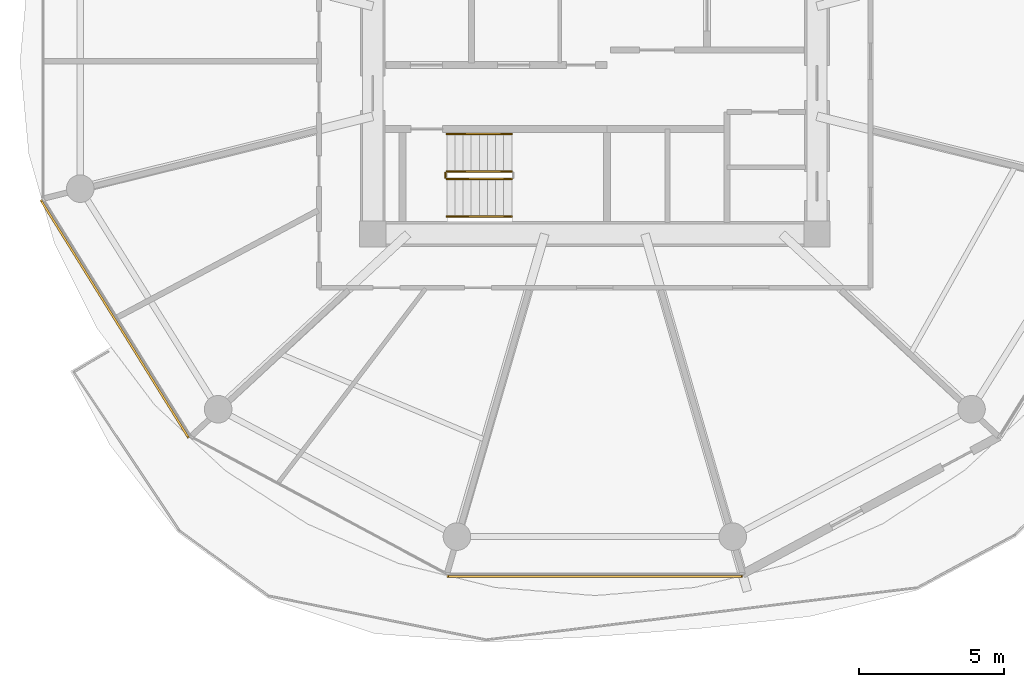
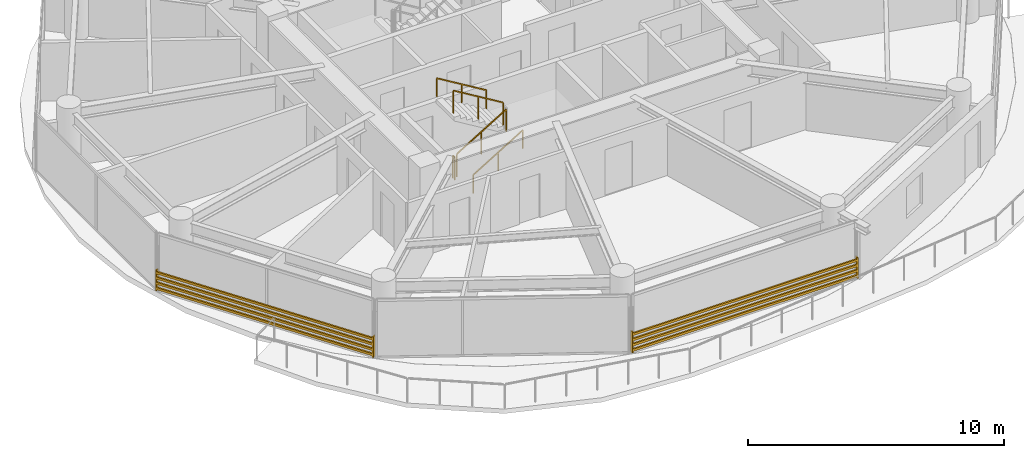
# One storey, part 21 of 26: 5 railings, 2 shading devices.
"""IFC4 building model written with IfcOpenShell, lengths in metres."""

from ifc_helpers import new_model, si_unit, direction, frame, origin, origin_2d, place, context, subcontext, project, spatial, rectangle, extrude, source, transform, mapped, material, type_object, type_shapes, element, save


model = new_model("IFC4")

# Units and contexts
model_context = context("Model", 3, precision=1e-05, world=origin(), true_north=direction((0.0, 1.0)))
body_context = subcontext(model_context, "Body", "Model", "MODEL_VIEW")
ifc_project = project(units=[si_unit("LENGTHUNIT", "METRE"), si_unit("AREAUNIT", "SQUARE_METRE"), si_unit("VOLUMEUNIT", "CUBIC_METRE"), si_unit("PLANEANGLEUNIT", "RADIAN"), si_unit("MASSUNIT", "GRAM", prefix="KILO")], contexts=[model_context])

# Site, building, storey
site_placement = place(None, origin())
site = spatial("IfcSite", under=ifc_project, at=site_placement, CompositionType="ELEMENT")
building_placement = place(site_placement, origin())
building = spatial("IfcBuilding", under=site, at=building_placement, Name="Norrkilde Senior Care Towers", CompositionType="ELEMENT")
storey_placement = place(building_placement, frame((0.0, 0.0, 55.14990234375)))
storey = spatial("IfcBuildingStorey", under=building, at=storey_placement, Name="L16", CompositionType="ELEMENT", Elevation=55.14990234375)

# Railings
ifc_material_1 = material(Name="Stainless Steel", Category="steel")
railing_type_1 = type_object("IfcRailingType", Name="Stair and Terrace Guardrail 1100", PredefinedType="GUARDRAIL", material=ifc_material_1)
railing_1_placement = place(storey_placement, frame((-33.10009765625, -4.050048828125, 0.16943359375)))
element("IfcRailing", 1, at=railing_1_placement, inside=storey, type_object=railing_type_1, Name="L16 ST-W2 stair guard 1", PredefinedType="GUARDRAIL", context=body_context, shape_type="SweptSolid", body=[
    extrude(rectangle(XDim=0.048095703125, YDim=0.048095703125, at=origin_2d()), frame((0.0, 0.0, 1.076171875), z_axis=(0.855512035549, 0.0, 0.517782924622), x_axis=(0.0, 1.0, 0.0)), (0.0, 0.0, 1.0), 2.618408203125),
    extrude(rectangle(XDim=0.0419921875, YDim=0.0419921875, at=origin_2d()), origin(), (0.0, 0.0, 1.0), 1.050048828125),
    extrude(rectangle(XDim=0.0419921875, YDim=0.0419921875, at=origin_2d()), frame((1.1201171875, 0.0, 0.677734375)), (0.0, 0.0, 1.0), 1.050048828125),
    extrude(rectangle(XDim=0.0419921875, YDim=0.0419921875, at=origin_2d()), frame((2.239990234375, 0.0, 1.355712890625)), (0.0, 0.0, 1.0), 1.050048828125),
])
railing_2_placement = place(storey_placement, frame((-30.860107421875, -3.800048828125, 1.694580078125)))
element("IfcRailing", 2, at=railing_2_placement, inside=storey, type_object=railing_type_1, Name="L16 ST-W2 stair guard 3", PredefinedType="GUARDRAIL", context=body_context, shape_type="SweptSolid", body=[
    extrude(rectangle(XDim=0.048095703125, YDim=0.048095703125, at=origin_2d()), frame((0.0, 0.0, 1.076171875), z_axis=(-0.855553338991, 0.0, 0.51771467445), x_axis=(0.0, -1.0, 0.0)), (0.0, 0.0, 1.0), 2.6181640625),
    extrude(rectangle(XDim=0.0419921875, YDim=0.0419921875, at=origin_2d()), origin(), (0.0, 0.0, 1.0), 1.050048828125),
    extrude(rectangle(XDim=0.0419921875, YDim=0.0419921875, at=origin_2d()), frame((-1.1201171875, 0.0, 0.677734375)), (0.0, 0.0, 1.0), 1.050048828125),
    extrude(rectangle(XDim=0.0419921875, YDim=0.0419921875, at=origin_2d()), frame((-2.239990234375, 0.0, 1.35546875)), (0.0, 0.0, 1.0), 1.050048828125),
])
railing_3_placement = place(storey_placement, frame((-33.14990234375, -4.0, 0.0)))
element("IfcRailing", 3, at=railing_3_placement, inside=storey, type_object=railing_type_1, Name="L16 ST-W2 stair guard 4", PredefinedType="GUARDRAIL", context=body_context, shape_type="SweptSolid", body=[
    extrude(rectangle(XDim=0.048095703125, YDim=0.048095703125, at=origin_2d()), frame((0.0, 0.0, 1.076171875), z_axis=(0.0, 1.0, 0.0), x_axis=(-1.0, 0.0, 0.0)), (0.0, 0.0, 1.0), 0.14990234375),
    extrude(rectangle(XDim=0.0419921875, YDim=0.0419921875, at=origin_2d()), origin(), (0.0, 0.0, 1.0), 1.050048828125),
    extrude(rectangle(XDim=0.0419921875, YDim=0.0419921875, at=origin_2d()), frame((0.0, 0.14990234375, 0.0)), (0.0, 0.0, 1.0), 1.050048828125),
])
ifc_material_2 = material(Name="Nordic Ash Timber", Category="wood")
railing_type_2 = type_object("IfcRailingType", Name="Wall and Stair Handrail 900", PredefinedType="HANDRAIL", material=ifc_material_2)
railing_4_placement = place(storey_placement, frame((-33.10009765625, -5.35009765625, 0.16943359375)))
element("IfcRailing", 4, at=railing_4_placement, inside=storey, type_object=railing_type_2, Name="L16 ST-W2 stair handrail 1", PredefinedType="HANDRAIL", context=body_context, shape_type="SweptSolid", body=[
    extrude(rectangle(XDim=0.048095703125, YDim=0.048095703125, at=origin_2d()), frame((0.0, 0.0, 0.8759765625), z_axis=(0.855512035549, 0.0, 0.517782924622), x_axis=(0.0, 1.0, 0.0)), (0.0, 0.0, 1.0), 2.618408203125),
    extrude(rectangle(XDim=0.0419921875, YDim=0.0419921875, at=origin_2d()), origin(), (0.0, 0.0, 1.0), 0.849853515625),
    extrude(rectangle(XDim=0.0419921875, YDim=0.0419921875, at=origin_2d()), frame((1.1201171875, 0.0, 0.677734375)), (0.0, 0.0, 1.0), 0.849853515625),
    extrude(rectangle(XDim=0.0419921875, YDim=0.0419921875, at=origin_2d()), frame((2.239990234375, 0.0, 1.355712890625)), (0.0, 0.0, 1.0), 0.849853515625),
])
railing_5_placement = place(storey_placement, frame((-30.860107421875, -2.5, 1.694580078125)))
element("IfcRailing", 5, at=railing_5_placement, inside=storey, type_object=railing_type_2, Name="L16 ST-W2 stair handrail 2", PredefinedType="HANDRAIL", context=body_context, shape_type="SweptSolid", body=[
    extrude(rectangle(XDim=0.048095703125, YDim=0.048095703125, at=origin_2d()), frame((0.0, 0.0, 0.8759765625), z_axis=(-0.855553338991, 0.0, 0.51771467445), x_axis=(0.0, -1.0, 0.0)), (0.0, 0.0, 1.0), 2.6181640625),
    extrude(rectangle(XDim=0.0419921875, YDim=0.0419921875, at=origin_2d()), origin(), (0.0, 0.0, 1.0), 0.849853515625),
    extrude(rectangle(XDim=0.0419921875, YDim=0.0419921875, at=origin_2d()), frame((-1.1201171875, 0.0, 0.677734375)), (0.0, 0.0, 1.0), 0.849853515625),
    extrude(rectangle(XDim=0.0419921875, YDim=0.0419921875, at=origin_2d()), frame((-2.239990234375, 0.0, 1.35546875)), (0.0, 0.0, 1.0), 0.849853515625),
])

# Shading devices
ifc_material_3 = material(Name="Architectural Terracotta", Category="masonry")
shading_device_type = type_object("IfcShadingDeviceType", Name="Horizontal Terracotta Baguette Rack", PredefinedType="USERDEFINED", material=ifc_material_3)
shared_shape_1 = source(origin(), body_context, "Body", "SweptSolid", [
    extrude(rectangle(XDim=0.070068359375, YDim=0.110107421875, at=origin_2d()), frame((0.0, 0.090087890625, 0.125), z_axis=(1.0, 0.0, 0.0), x_axis=(0.0, 1.0, 0.0)), (0.0, 0.0, 1.0), 9.64892578125),
    extrude(rectangle(XDim=0.070068359375, YDim=0.110107421875, at=origin_2d()), frame((0.0, 0.090087890625, 0.375), z_axis=(1.0, 0.0, 0.0), x_axis=(0.0, 1.0, 0.0)), (0.0, 0.0, 1.0), 9.64892578125),
    extrude(rectangle(XDim=0.070068359375, YDim=0.110107421875, at=origin_2d()), frame((0.0, 0.090087890625, 0.625), z_axis=(1.0, 0.0, 0.0), x_axis=(0.0, 1.0, 0.0)), (0.0, 0.0, 1.0), 9.64892578125),
    extrude(rectangle(XDim=0.070068359375, YDim=0.110107421875, at=origin_2d()), frame((0.0, 0.090087890625, 0.875), z_axis=(1.0, 0.0, 0.0), x_axis=(0.0, 1.0, 0.0)), (0.0, 0.0, 1.0), 9.64892578125),
    extrude(rectangle(XDim=0.050048828125, YDim=0.1552734375, at=origin_2d()), frame((0.02490234375, 0.047607421875, 0.0)), (0.0, 0.0, 1.0), 1.0),
    extrude(rectangle(XDim=0.050048828125, YDim=0.1552734375, at=origin_2d()), frame((9.6240234375, 0.047607421875, 0.0)), (0.0, 0.0, 1.0), 1.0),
])
shading_device_1_placement = place(storey_placement, frame((-41.915771484375, -12.926025390625, 0.080078125), z_axis=(0.0, 0.0, 1.0), x_axis=(-0.527908506655, 0.849299124538, 0.0)))
element("IfcShadingDevice", 6, at=shading_device_1_placement, inside=storey, type_object=shading_device_type, Name="L16 Drum W Terracotta Baguette Screen 06", ObjectType="BAGUETTE", PredefinedType="USERDEFINED", context=body_context, shape_type="MappedRepresentation", body=[
    mapped(shared_shape_1, transform((0.0, 0.0, 0.0), x_axis=(1.0, 0.0, 0.0), y_axis=(0.0, 1.0, 0.0), z_axis=(0.0, 0.0, 1.0), scale=1.0)),
])
shared_shape_2 = source(origin(), body_context, "Body", "SweptSolid", [
    extrude(rectangle(XDim=0.070068359375, YDim=0.110107421875, at=origin_2d()), frame((0.0, 0.090087890625, 0.125), z_axis=(1.0, 0.0, 0.0), x_axis=(0.0, 1.0, 0.0)), (0.0, 0.0, 1.0), 10.18701171875),
    extrude(rectangle(XDim=0.070068359375, YDim=0.110107421875, at=origin_2d()), frame((0.0, 0.090087890625, 0.375), z_axis=(1.0, 0.0, 0.0), x_axis=(0.0, 1.0, 0.0)), (0.0, 0.0, 1.0), 10.18701171875),
    extrude(rectangle(XDim=0.070068359375, YDim=0.110107421875, at=origin_2d()), frame((0.0, 0.090087890625, 0.625), z_axis=(1.0, 0.0, 0.0), x_axis=(0.0, 1.0, 0.0)), (0.0, 0.0, 1.0), 10.18701171875),
    extrude(rectangle(XDim=0.070068359375, YDim=0.110107421875, at=origin_2d()), frame((0.0, 0.090087890625, 0.875), z_axis=(1.0, 0.0, 0.0), x_axis=(0.0, 1.0, 0.0)), (0.0, 0.0, 1.0), 10.18701171875),
    extrude(rectangle(XDim=0.050048828125, YDim=0.1552734375, at=origin_2d()), frame((0.02490234375, 0.047607421875, 0.0)), (0.0, 0.0, 1.0), 1.0),
    extrude(rectangle(XDim=0.050048828125, YDim=0.1552734375, at=origin_2d()), frame((10.162109375, 0.047607421875, 0.0)), (0.0, 0.0, 1.0), 1.0),
])
type_shapes(shading_device_type, [shared_shape_1, shared_shape_2])
shading_device_2_placement = place(storey_placement, frame((-22.906494140625, -17.6572265625, 0.080078125), z_axis=(0.0, 0.0, 1.0), x_axis=(-1.0, 0.0, 0.0)))
element("IfcShadingDevice", 7, at=shading_device_2_placement, inside=storey, type_object=shading_device_type, Name="L16 Drum W Terracotta Baguette Screen 08", ObjectType="BAGUETTE", PredefinedType="USERDEFINED", context=body_context, shape_type="MappedRepresentation", body=[
    mapped(shared_shape_2, transform((0.0, 0.0, 0.0), x_axis=(1.0, 0.0, 0.0), y_axis=(0.0, 1.0, 0.0), z_axis=(0.0, 0.0, 1.0), scale=1.0)),
])

save(model, "model.ifc")
